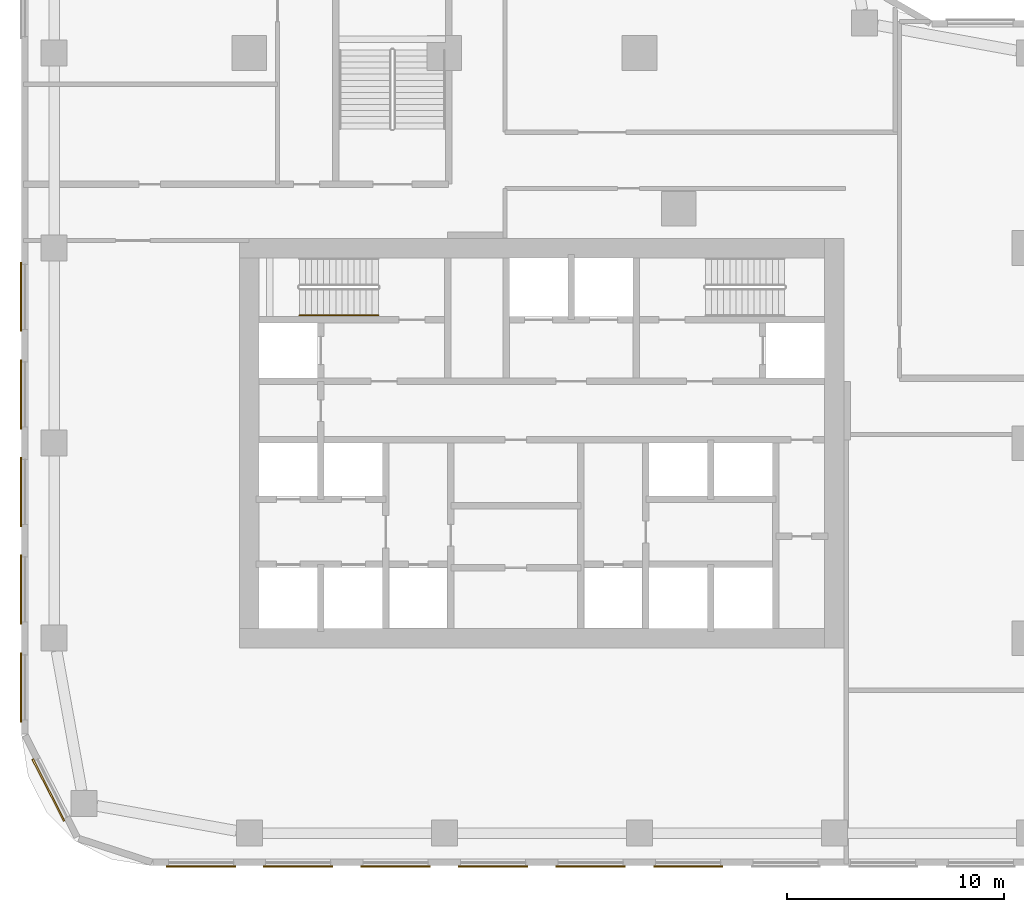
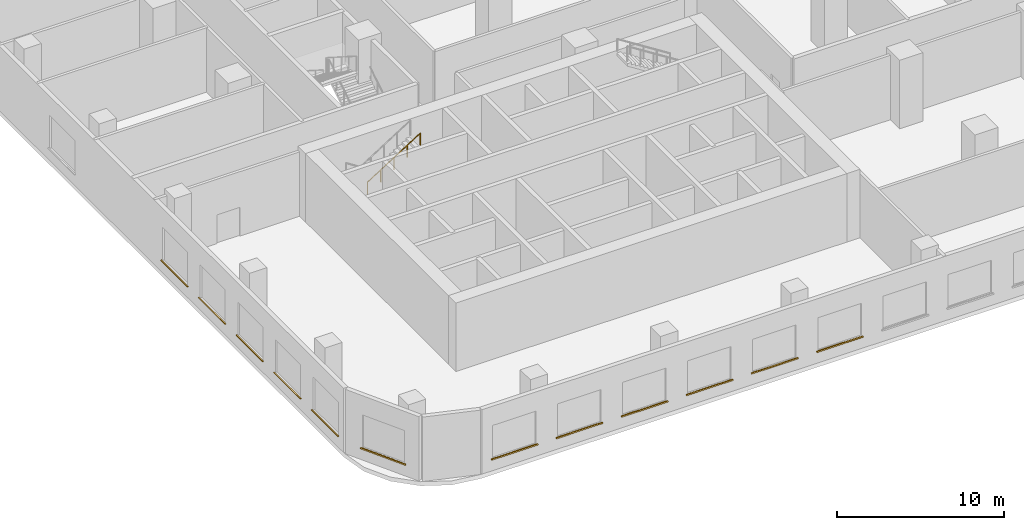
# One storey, part 23 of 35: 12 coverings, 1 railing.
"""IFC4 building model written with IfcOpenShell, lengths in metres."""

from ifc_helpers import new_model, si_unit, direction, frame, origin, origin_2d, place, context, subcontext, project, spatial, rectangle, circle, extrude, material, layer, layer_set, type_object, element, save


model = new_model("IFC4")

# Units and contexts
model_context = context("Model", 3, precision=1e-05, world=origin(), true_north=direction((0.0, 1.0)))
body_context = subcontext(model_context, "Body", "Model", "MODEL_VIEW")
ifc_project = project(units=[si_unit("LENGTHUNIT", "METRE"), si_unit("AREAUNIT", "SQUARE_METRE"), si_unit("VOLUMEUNIT", "CUBIC_METRE"), si_unit("PLANEANGLEUNIT", "RADIAN"), si_unit("MASSUNIT", "GRAM", prefix="KILO")], contexts=[model_context])

# Site, building, storey
site_placement = place(None, origin())
site = spatial("IfcSite", under=ifc_project, at=site_placement, CompositionType="ELEMENT")
building_placement = place(site_placement, origin())
building = spatial("IfcBuilding", under=site, at=building_placement, Name="Ogive Portal Towers", CompositionType="ELEMENT")
storey_placement = place(building_placement, frame((0.0, 0.0, 23.5)))
storey = spatial("IfcBuildingStorey", under=building, at=storey_placement, Name="L04", CompositionType="ELEMENT", Elevation=23.5)

# Railing
ifc_material_1 = material(Name="Stainless steel handrail", Category="steel")
railing_type = type_object("IfcRailingType", Name="INT-HANDRAIL", PredefinedType="HANDRAIL", material=ifc_material_1)
railing_placement = place(storey_placement, frame((33.81005859375, 36.39990234375, 2.678466796875)))
element("IfcRailing", 1, at=railing_placement, inside=storey, type_object=railing_type, Name="L04 ST-A1 stair handrail 2", PredefinedType="HANDRAIL", context=body_context, shape_type="SweptSolid", body=[
    extrude(circle(Radius=0.02392578125, at=origin_2d()), frame((0.0, 0.0, 0.8759765625), z_axis=(0.843111507901, 0.0, 0.53773877045), x_axis=(0.0, 1.0, 0.0)), (0.0, 0.0, 1.0), 4.317138671875),
    extrude(circle(Radius=0.02099609375, at=origin_2d()), origin(), (0.0, 0.0, 1.0), 0.851806640625),
    extrude(circle(Radius=0.02099609375, at=origin_2d()), frame((0.909912109375, 0.0, 0.580322265625)), (0.0, 0.0, 1.0), 0.851806640625),
    extrude(circle(Radius=0.02099609375, at=origin_2d()), frame((1.81982421875, 0.0, 1.16064453125)), (0.0, 0.0, 1.0), 0.851806640625),
    extrude(circle(Radius=0.02099609375, at=origin_2d()), frame((2.72998046875, 0.0, 1.7412109375)), (0.0, 0.0, 1.0), 0.851806640625),
    extrude(circle(Radius=0.02099609375, at=origin_2d()), frame((3.639892578125, 0.0, 2.321533203125)), (0.0, 0.0, 1.0), 0.851806640625),
])

# Coverings
ifc_material_2 = material(Name="Limestone cladding on lightweight block wall", Category="masonry")
ifc_layer = layer(ifc_material_2, 0.080078125)
ifc_layer_set = layer_set([ifc_layer], Name="STONE SILL 80")
covering_type = type_object("IfcCoveringType", Name="STONE SILL 80", PredefinedType="CLADDING", material=ifc_layer_set)
for number, where, z_axis, x_axis, name in (
    (2, (22.233642578125, 14.49072265625, 0.840087890625), (0.0, 0.0, 1.0), (0.45399049974, -0.891006524188, 0.0), "Stone sill"),
    (3, (29.273681640625, 10.9599609375, 0.840087890625), (0.0, 0.0, 1.0), (1.0, 0.0, 0.0), "Stone sill"),
    (4, (33.75, 10.9599609375, 0.840087890625), (0.0, 0.0, 1.0), (1.0, 0.0, 0.0), "Stone sill"),
    (5, (38.25, 10.9599609375, 0.840087890625), (0.0, 0.0, 1.0), (1.0, 0.0, 0.0), "Stone sill"),
    (6, (42.75, 10.9599609375, 0.840087890625), (0.0, 0.0, 1.0), (1.0, 0.0, 0.0), "Stone sill"),
    (7, (47.25, 10.9599609375, 0.840087890625), (0.0, 0.0, 1.0), (1.0, 0.0, 0.0), "Stone sill"),
    (8, (51.75, 10.9599609375, 0.840087890625), (0.0, 0.0, 1.0), (1.0, 0.0, 0.0), "Stone sill"),
    (9, (20.9599609375, 37.25, 0.840087890625), (0.0, 0.0, 1.0), (0.0, -1.0, 0.0), "Stone sill"),
    (10, (20.9599609375, 32.75, 0.840087890625), (0.0, 0.0, 1.0), (0.0, -1.0, 0.0), "Stone sill"),
    (11, (20.9599609375, 28.25, 0.840087890625), (0.0, 0.0, 1.0), (0.0, -1.0, 0.0), "Stone sill"),
    (12, (20.9599609375, 23.75, 0.840087890625), (0.0, 0.0, 1.0), (0.0, -1.0, 0.0), "Stone sill"),
    (13, (20.9599609375, 19.226318359375, 0.840087890625), (0.0, 0.0, 1.0), (0.0, -1.0, 0.0), "Stone sill"),
):
    element("IfcCovering", number, at=place(storey_placement, frame(where, z_axis=z_axis, x_axis=x_axis)), inside=storey, type_object=covering_type, Name=name, PredefinedType="CLADDING", context=body_context, shape_type="SweptSolid", body=[
        extrude(rectangle(XDim=3.199951171875, YDim=0.080078125, at=origin_2d()), origin(), (0.0, 0.0, 1.0), 0.06005859375),
    ])

save(model, "model.ifc")
